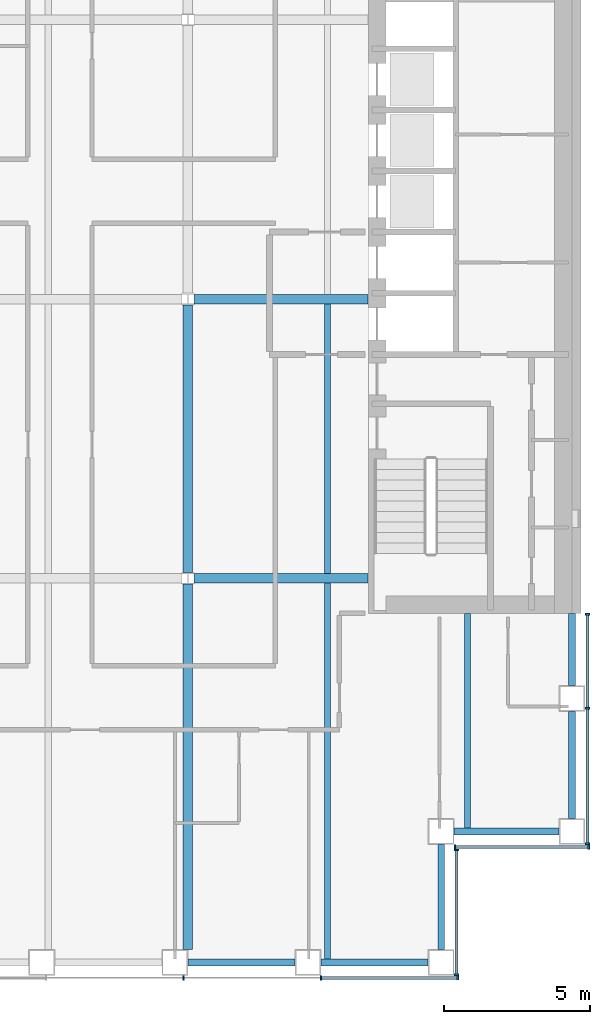
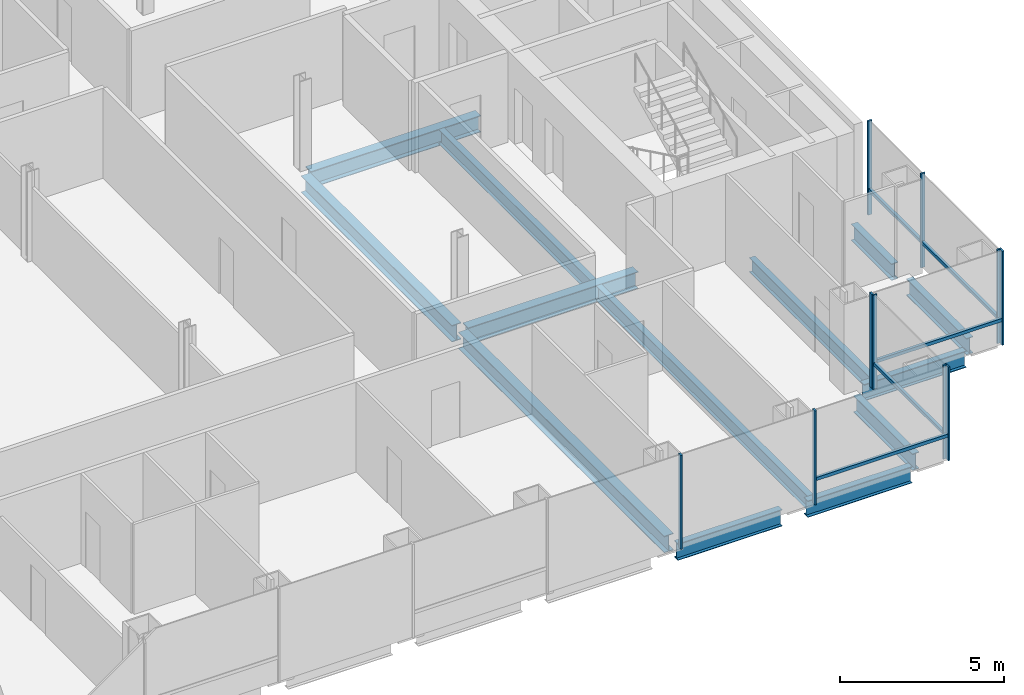
# One storey, part 4 of 16: 15 members, 13 beams, 4 elements without a shape of their own.
"""IFC4 building model written with IfcOpenShell, lengths in metres."""

import ifcopenshell
import ifcopenshell.guid

model = None  # the IFC model being written
_history = None  # IfcOwnerHistory: only IFC2X3 demands one
_inside = {}  # id of a spatial element -> (the spatial element, [elements in it])
_under = {}  # id of a project, library or spatial element -> (it, [spatial elements below it])
_declared = {}  # id of a project -> (the project, [libraries it declares])
_typed = {}  # id of a type object -> (the type object, [elements of that type])
_made_of = {}  # id of a material, layer set ... -> (it, [elements and type objects made of it])


def new_model(schema):
    """Start an empty IFC model of exactly this schema.

    Asked for "IFC4X3", IfcOpenShell would pick the latest addendum, in which some entities
    have other attributes; the version numbers below select the first issue.
    IFC2X3 requires an IfcOwnerHistory on every rooted entity: one is made here for all.
    """
    global model, _history
    if schema == "IFC4X3":
        model = ifcopenshell.file(schema_version=(4, 3, 0, 0))
    else:
        model = ifcopenshell.file(schema=schema)
    _inside.clear()
    _under.clear()
    _declared.clear()
    _typed.clear()
    _made_of.clear()
    _history = None
    if model.schema == "IFC2X3":
        org = make("IfcOrganization", Name="unknown")
        user = make(
            "IfcPersonAndOrganization",
            ThePerson=make("IfcPerson", FamilyName="unknown"),
            TheOrganization=org,
        )
        app = make(
            "IfcApplication",
            ApplicationDeveloper=org,
            Version="unknown",
            ApplicationFullName="unknown",
            ApplicationIdentifier="unknown",
        )
        _history = make(
            "IfcOwnerHistory",
            OwningUser=user,
            OwningApplication=app,
            ChangeAction="ADDED",
            CreationDate=0,
        )
    return model


def make(cls, **values):
    """One entity of the class cls with the attributes given. An attribute that is None is left unset."""
    return model.create_entity(
        cls, **{name: value for name, value in values.items() if value is not None}
    )


def rooted(cls, **values):
    """An entity with a GlobalId (a new one), such as an element, a storey or a relation."""
    return make(cls, GlobalId=ifcopenshell.guid.new(), OwnerHistory=_history, **values)


def si_unit(unit_type, name, prefix=None):
    """IfcSIUnit, for example si_unit("LENGTHUNIT", "METRE", prefix="MILLI")."""
    return make("IfcSIUnit", UnitType=unit_type, Prefix=prefix, Name=name)


def assignment(units):
    """IfcUnitAssignment: the units of a project."""
    return None if units is None else make("IfcUnitAssignment", Units=units)


def point(xyz):
    """IfcCartesianPoint."""
    return None if xyz is None else make("IfcCartesianPoint", Coordinates=xyz)


def direction(xyz):
    """IfcDirection."""
    return None if xyz is None else make("IfcDirection", DirectionRatios=xyz)


def frame(location, z_axis=None, x_axis=None):
    """IfcAxis2Placement3D, a coordinate frame: its origin and axes. An axis left out is left unset."""
    return make(
        "IfcAxis2Placement3D",
        Location=point(location),
        Axis=direction(z_axis),
        RefDirection=direction(x_axis),
    )


def frame_2d(location, x_axis=None):
    """IfcAxis2Placement2D, a coordinate frame in the plane: its origin and x axis."""
    return make(
        "IfcAxis2Placement2D", Location=point(location), RefDirection=direction(x_axis)
    )


def origin():
    """The frame at (0, 0, 0) with its axes left unset."""
    return frame((0.0, 0.0, 0.0))


def origin_2d():
    """The frame at (0, 0) in the plane with its x axis left unset."""
    return frame_2d((0.0, 0.0))


def place(relative_to, where):
    """IfcLocalPlacement: puts the frame where relative to a parent placement (None: the world)."""
    return make(
        "IfcLocalPlacement", PlacementRelTo=relative_to, RelativePlacement=where
    )


def context(
    kind, dimensions, precision=None, world=None, true_north=None, identifier=None
):
    """IfcGeometricRepresentationContext, for example the 3D "Model" context."""
    return make(
        "IfcGeometricRepresentationContext",
        ContextIdentifier=identifier,
        ContextType=kind,
        CoordinateSpaceDimension=dimensions,
        Precision=precision,
        WorldCoordinateSystem=world,
        TrueNorth=true_north,
    )


def subcontext(parent, identifier, kind, view, scale=None):
    """IfcGeometricRepresentationSubContext, for example "Body" below "Model"."""
    return make(
        "IfcGeometricRepresentationSubContext",
        ContextIdentifier=identifier,
        ContextType=kind,
        ParentContext=parent,
        TargetScale=scale,
        TargetView=view,
    )


def project(units=None, contexts=None):
    """IfcProject with its units and contexts."""
    return rooted(
        "IfcProject",
        Name="project",
        RepresentationContexts=contexts,
        UnitsInContext=assignment(units),
    )


def spatial(cls, under=None, at=None, **own):
    """A site, building, storey or space (cls), placed at a placement, below another one or the project."""
    s = rooted(cls, ObjectPlacement=at, **own)
    if under is not None:
        _under.setdefault(under.id(), (under, []))[1].append(s)
    return s


def profile(cls, at=None, kind="AREA", **sizes):
    """A parametric profile (cls). Its sizes go by their IFC names, for example OverallWidth=200.0."""
    return make(cls, ProfileType=kind, Position=at, **sizes)


def rectangle(**sizes):
    """IfcRectangleProfileDef."""
    return profile("IfcRectangleProfileDef", **sizes)


def i_section(**sizes):
    """IfcIShapeProfileDef."""
    return profile("IfcIShapeProfileDef", **sizes)


def extrude(swept, where, along, depth):
    """IfcExtrudedAreaSolid: the profile swept, set in the frame where, extruded along a direction by depth."""
    return make(
        "IfcExtrudedAreaSolid",
        SweptArea=swept,
        Position=where,
        ExtrudedDirection=direction(along),
        Depth=depth,
    )


def shape(context_of_items, identifier, shape_type, items):
    """IfcShapeRepresentation: the items that make up one representation, for example the "Body"."""
    return make(
        "IfcShapeRepresentation",
        ContextOfItems=context_of_items,
        RepresentationIdentifier=identifier,
        RepresentationType=shape_type,
        Items=items,
    )


def material(Name=None, Category=None):
    """IfcMaterial."""
    return make("IfcMaterial", Name=Name, Category=Category)


def material_profile(
    of_material, cross_section, Name=None, Category=None, Priority=None
):
    """IfcMaterialProfile: a cross section and its material."""
    return make(
        "IfcMaterialProfile",
        Name=Name,
        Material=of_material,
        Profile=cross_section,
        Priority=Priority,
        Category=Category,
    )


def profile_set(profiles, Name=None, composite=None):
    """IfcMaterialProfileSet."""
    return make(
        "IfcMaterialProfileSet",
        Name=Name,
        MaterialProfiles=profiles,
        CompositeProfile=composite,
    )


def made_of(thing, what):
    """Note that an element or type object is made of a material, layer set ...; save() writes the relation."""
    if what is not None:
        _made_of.setdefault(what.id(), (what, []))[1].append(thing)
    return thing


def type_object(cls, material=None, **own):
    """A type object (cls), such as IfcWallType, which elements share."""
    return made_of(rooted(cls, **own), material)


def element(
    cls,
    number,
    at=None,
    inside=None,
    cuts=None,
    type_object=None,
    material=None,
    context=None,
    identifier="Body",
    shape_type=None,
    held_by="IfcProductDefinitionShape",
    body=None,
    shapes=None,
    **own,
):
    """One element of the class cls, such as IfcWall. Its Tag is "e" and its number.

    at: its placement. inside: the storey or other place that contains it. cuts: it is an
    opening in that element (IfcRelVoidsElement). A single representation is given by context,
    identifier, shape_type and body (its items); several are given by shapes. held_by: the class
    of the entity that holds the representations. save() writes the other relations.
    """
    e = rooted(cls, Tag="e%d" % number, ObjectPlacement=at, **own)
    if body is not None:
        shapes = [shape(context, identifier, shape_type, body)]
    if shapes is not None:
        e.Representation = make(held_by, Representations=shapes)
    if inside is not None:
        _inside.setdefault(inside.id(), (inside, []))[1].append(e)
    if cuts is not None:
        rooted(
            "IfcRelVoidsElement", RelatingBuildingElement=cuts, RelatedOpeningElement=e
        )
    if type_object is not None:
        _typed.setdefault(type_object.id(), (type_object, []))[1].append(e)
    return made_of(e, material)


def aggregate(whole, parts):
    """IfcRelAggregates: a whole, such as a stair, and the parts it consists of."""
    return rooted("IfcRelAggregates", RelatingObject=whole, RelatedObjects=parts)


def save(model, path):
    """Write the relations noted so far, then the file.

    IfcRelAggregates (storeys below a building ...), IfcRelContainedInSpatialStructure (elements
    in a storey), IfcRelDefinesByType, IfcRelAssociatesMaterial and IfcRelDeclares: one each for
    every whole, place, type object, material and project.
    """
    for whole, parts in _under.values():
        aggregate(whole, parts)
    for where, things in _inside.values():
        rooted(
            "IfcRelContainedInSpatialStructure",
            RelatedElements=things,
            RelatingStructure=where,
        )
    for kind, things in _typed.values():
        rooted("IfcRelDefinesByType", RelatedObjects=things, RelatingType=kind)
    for what, things in _made_of.values():
        rooted("IfcRelAssociatesMaterial", RelatedObjects=things, RelatingMaterial=what)
    for by, libraries in _declared.values():
        rooted("IfcRelDeclares", RelatingContext=by, RelatedDefinitions=libraries)
    model.write(path)


model = new_model("IFC4")

# Units and contexts
model_context = context("Model", 3, precision=1e-05, world=origin(), true_north=direction((0.0, 1.0)))
body_context = subcontext(model_context, "Body", "Model", "MODEL_VIEW")
ifc_project = project(units=[si_unit("LENGTHUNIT", "METRE"), si_unit("AREAUNIT", "SQUARE_METRE"), si_unit("VOLUMEUNIT", "CUBIC_METRE"), si_unit("PLANEANGLEUNIT", "RADIAN"), si_unit("MASSUNIT", "GRAM", prefix="KILO")], contexts=[model_context])

# Site, building, storey
site_placement = place(None, origin())
site = spatial("IfcSite", under=ifc_project, at=site_placement, CompositionType="ELEMENT")
building_placement = place(site_placement, origin())
building = spatial("IfcBuilding", under=site, at=building_placement, Name="Cobrizo Arcos Hotel Tower", CompositionType="ELEMENT")
storey_placement = place(building_placement, frame((0.0, 0.0, 113.5)))
storey = spatial("IfcBuildingStorey", under=building, at=storey_placement, Name="L28", CompositionType="ELEMENT", Elevation=113.5)

# Curtain wall, members
ifc_material_1 = material(Name="Aluminium 6063-T6 anodised bronze", Category="aluminium")
curtain_wall_type = type_object("IfcCurtainWallType", Name="CW-A guest facade", PredefinedType="NOTDEFINED", material=ifc_material_1)
curtain_wall_1_placement = place(storey_placement, origin())
curtain_wall_1 = element("IfcCurtainWall", 1, at=curtain_wall_1_placement, inside=storey, type_object=curtain_wall_type, Name="CW-A L28 S face", PredefinedType="NOTDEFINED")
ifc_material_profile_1 = material_profile(ifc_material_1, rectangle(XDim=0.14990234375, YDim=0.06005859375, at=origin_2d()), Name="CW-A mullion 150x60")
ifc_profile_set_1 = profile_set([ifc_material_profile_1], Name="Aluminium 6063-T6 anodised bronze")
member_type_1 = type_object("IfcMemberType", Name="CW-A mullion 150x60", PredefinedType="MULLION", material=ifc_profile_set_1)
member_1_placement = place(storey_placement, frame((9.449951171875, -23.324951171875, 0.0), z_axis=(0.0, 0.0, 1.0), x_axis=(0.0, -1.0, 0.0)))
member_1 = element("IfcMember", 2, at=member_1_placement, type_object=member_type_1, Name="CW-A mullion 7", PredefinedType="MULLION", context=body_context, shape_type="SweptSolid", body=[
    extrude(rectangle(XDim=0.14990234375, YDim=0.06005859375, at=origin_2d()), origin(), (0.0, 0.0, 1.0), 3.5),
])
member_2_placement = place(storey_placement, frame((14.175048828125, -23.324951171875, 0.0), z_axis=(0.0, 0.0, 1.0), x_axis=(0.0, -1.0, 0.0)))
member_2 = element("IfcMember", 3, at=member_2_placement, type_object=member_type_1, Name="CW-A mullion 8", PredefinedType="MULLION", context=body_context, shape_type="SweptSolid", body=[
    extrude(rectangle(XDim=0.14990234375, YDim=0.06005859375, at=origin_2d()), origin(), (0.0, 0.0, 1.0), 3.5),
])
member_3_placement = place(storey_placement, frame((18.8701171875, -23.324951171875, 0.0), z_axis=(0.0, 0.0, 1.0), x_axis=(0.0, -1.0, 0.0)))
member_3 = element("IfcMember", 4, at=member_3_placement, type_object=member_type_1, Name="CW-A mullion 9", PredefinedType="MULLION", context=body_context, shape_type="SweptSolid", body=[
    extrude(rectangle(XDim=0.14990234375, YDim=0.06005859375, at=origin_2d()), origin(), (0.0, 0.0, 1.0), 3.5),
])

curtain_wall_2_placement = place(storey_placement, origin())
curtain_wall_2 = element("IfcCurtainWall", 5, at=curtain_wall_2_placement, inside=storey, type_object=curtain_wall_type, Name="CW-A L28 E face", PredefinedType="NOTDEFINED")
member_4_placement = place(storey_placement, frame((18.824951171875, -23.219970703125, 0.0), z_axis=(0.0, 0.0, 1.0), x_axis=(1.0, 0.0, 0.0)))
member_4 = element("IfcMember", 6, at=member_4_placement, type_object=member_type_1, Name="CW-A mullion 1", PredefinedType="MULLION", context=body_context, shape_type="SweptSolid", body=[
    extrude(rectangle(XDim=0.14990234375, YDim=0.06005859375, at=origin_2d()), origin(), (0.0, 0.0, 1.0), 3.5),
])
member_5_placement = place(storey_placement, frame((18.824951171875, -18.929931640625, 0.0), z_axis=(0.0, 0.0, 1.0), x_axis=(1.0, 0.0, 0.0)))
member_5 = element("IfcMember", 7, at=member_5_placement, type_object=member_type_1, Name="CW-A mullion 2", PredefinedType="MULLION", context=body_context, shape_type="SweptSolid", body=[
    extrude(rectangle(XDim=0.14990234375, YDim=0.06005859375, at=origin_2d()), origin(), (0.0, 0.0, 1.0), 3.5),
])

curtain_wall_3_placement = place(storey_placement, origin())
curtain_wall_3 = element("IfcCurtainWall", 8, at=curtain_wall_3_placement, inside=storey, type_object=curtain_wall_type, Name="CW-A L28 S face", PredefinedType="NOTDEFINED")
member_6_placement = place(storey_placement, frame((18.780029296875, -18.824951171875, 0.0), z_axis=(0.0, 0.0, 1.0), x_axis=(0.0, -1.0, 0.0)))
member_6 = element("IfcMember", 9, at=member_6_placement, type_object=member_type_1, Name="CW-A mullion 1", PredefinedType="MULLION", context=body_context, shape_type="SweptSolid", body=[
    extrude(rectangle(XDim=0.14990234375, YDim=0.06005859375, at=origin_2d()), origin(), (0.0, 0.0, 1.0), 3.5),
])
member_7_placement = place(storey_placement, frame((23.3701171875, -18.824951171875, 0.0), z_axis=(0.0, 0.0, 1.0), x_axis=(0.0, -1.0, 0.0)))
member_7 = element("IfcMember", 10, at=member_7_placement, type_object=member_type_1, Name="CW-A mullion 2", PredefinedType="MULLION", context=body_context, shape_type="SweptSolid", body=[
    extrude(rectangle(XDim=0.14990234375, YDim=0.06005859375, at=origin_2d()), origin(), (0.0, 0.0, 1.0), 3.5),
])

curtain_wall_4_placement = place(storey_placement, origin())
curtain_wall_4 = element("IfcCurtainWall", 11, at=curtain_wall_4_placement, inside=storey, type_object=curtain_wall_type, Name="CW-A L28 E face", PredefinedType="NOTDEFINED")
member_8_placement = place(storey_placement, frame((23.324951171875, -18.719970703125, 0.0), z_axis=(0.0, 0.0, 1.0), x_axis=(1.0, 0.0, 0.0)))
member_8 = element("IfcMember", 12, at=member_8_placement, type_object=member_type_1, Name="CW-A mullion 1", PredefinedType="MULLION", context=body_context, shape_type="SweptSolid", body=[
    extrude(rectangle(XDim=0.14990234375, YDim=0.06005859375, at=origin_2d()), origin(), (0.0, 0.0, 1.0), 3.5),
])
member_9_placement = place(storey_placement, frame((23.324951171875, -14.0625, 0.0), z_axis=(0.0, 0.0, 1.0), x_axis=(1.0, 0.0, 0.0)))
member_9 = element("IfcMember", 13, at=member_9_placement, type_object=member_type_1, Name="CW-A mullion 2", PredefinedType="MULLION", context=body_context, shape_type="SweptSolid", body=[
    extrude(rectangle(XDim=0.14990234375, YDim=0.06005859375, at=origin_2d()), origin(), (0.0, 0.0, 1.0), 3.5),
])
member_10_placement = place(storey_placement, frame((23.324951171875, -10.830078125, 0.0), z_axis=(0.0, 0.0, 1.0), x_axis=(1.0, 0.0, 0.0)))
member_10 = element("IfcMember", 14, at=member_10_placement, type_object=member_type_1, Name="CW-A mullion 3", PredefinedType="MULLION", context=body_context, shape_type="SweptSolid", body=[
    extrude(rectangle(XDim=0.14990234375, YDim=0.06005859375, at=origin_2d()), origin(), (0.0, 0.0, 1.0), 3.5),
])

# Member
ifc_material_profile_2 = material_profile(ifc_material_1, rectangle(XDim=0.10009765625, YDim=0.1201171875, at=origin_2d()), Name="CW-A transom 120x100")
ifc_profile_set_2 = profile_set([ifc_material_profile_2], Name="Aluminium 6063-T6 anodised bronze")
member_type_2 = type_object("IfcMemberType", Name="CW-A transom 120x100", PredefinedType="USERDEFINED", material=ifc_profile_set_2)
member_11_placement = place(storey_placement, frame((14.205078125, -23.324951171875, 0.929931640625), z_axis=(1.0, 0.0, 0.0), x_axis=(0.0, 1.0, 0.0)))
member_11 = element("IfcMember", 15, at=member_11_placement, type_object=member_type_2, Name="CW-A transom 1082", ObjectType="TRANSOM", PredefinedType="USERDEFINED", context=body_context, shape_type="SweptSolid", body=[
    extrude(rectangle(XDim=0.10009765625, YDim=0.1201171875, at=origin_2d()), origin(), (0.0, 0.0, 1.0), 4.635009765625),
])

aggregate(curtain_wall_1, [member_1, member_2, member_3, member_11])

member_12_placement = place(storey_placement, frame((18.824951171875, -23.18994140625, 0.929931640625), z_axis=(0.0, 1.0, 0.0), x_axis=(-1.0, 0.0, 0.0)))
member_12 = element("IfcMember", 16, at=member_12_placement, type_object=member_type_2, Name="CW-A transom 1083", ObjectType="TRANSOM", PredefinedType="USERDEFINED", context=body_context, shape_type="SweptSolid", body=[
    extrude(rectangle(XDim=0.10009765625, YDim=0.1201171875, at=origin_2d()), origin(), (0.0, 0.0, 1.0), 4.22998046875),
])

aggregate(curtain_wall_2, [member_4, member_5, member_12])

member_13_placement = place(storey_placement, frame((18.81005859375, -18.824951171875, 0.929931640625), z_axis=(1.0, 0.0, 0.0), x_axis=(0.0, 1.0, 0.0)))
member_13 = element("IfcMember", 17, at=member_13_placement, type_object=member_type_2, Name="CW-A transom 1084", ObjectType="TRANSOM", PredefinedType="USERDEFINED", context=body_context, shape_type="SweptSolid", body=[
    extrude(rectangle(XDim=0.10009765625, YDim=0.1201171875, at=origin_2d()), origin(), (0.0, 0.0, 1.0), 4.530029296875),
])

aggregate(curtain_wall_3, [member_6, member_7, member_13])

member_14_placement = place(storey_placement, frame((23.324951171875, -18.68994140625, 0.929931640625), z_axis=(0.0, 1.0, 0.0), x_axis=(-1.0, 0.0, 0.0)))
member_14 = element("IfcMember", 18, at=member_14_placement, type_object=member_type_2, Name="CW-A transom 1085", ObjectType="TRANSOM", PredefinedType="USERDEFINED", context=body_context, shape_type="SweptSolid", body=[
    extrude(rectangle(XDim=0.10009765625, YDim=0.1201171875, at=origin_2d()), origin(), (0.0, 0.0, 1.0), 4.597412109375),
])

member_15_placement = place(storey_placement, frame((23.324951171875, -14.032470703125, 0.929931640625), z_axis=(0.0, 1.0, 0.0), x_axis=(-1.0, 0.0, 0.0)))
member_15 = element("IfcMember", 19, at=member_15_placement, type_object=member_type_2, Name="CW-A transom 1086", ObjectType="TRANSOM", PredefinedType="USERDEFINED", context=body_context, shape_type="SweptSolid", body=[
    extrude(rectangle(XDim=0.10009765625, YDim=0.1201171875, at=origin_2d()), origin(), (0.0, 0.0, 1.0), 3.17236328125),
])

aggregate(curtain_wall_4, [member_8, member_9, member_10, member_14, member_15])

# Beams
ifc_material_2 = material(Name="Steel ASTM A992 Grade 50", Category="steel")
ifc_material_profile_3 = material_profile(ifc_material_2, i_section(OverallWidth=0.209228515625, OverallDepth=0.533447265625, WebThickness=0.01025390625, FlangeThickness=0.015625, at=origin_2d()), Name="W21X62")
ifc_profile_set_3 = profile_set([ifc_material_profile_3], Name="Steel ASTM A992 Grade 50")
beam_type_1 = type_object("IfcBeamType", Name="W21X62 joist", PredefinedType="JOIST", material=ifc_profile_set_3)
beam_1_placement = place(storey_placement, frame((14.39990234375, -22.7099609375, -0.416748046875), z_axis=(0.0, 1.0, 0.0), x_axis=(-1.0, 0.0, 0.0)))
element("IfcBeam", 20, at=beam_1_placement, inside=storey, type_object=beam_type_1, Name="Floor joist J1, L28, no. 015", PredefinedType="JOIST", context=body_context, shape_type="SweptSolid", body=[
    extrude(i_section(OverallWidth=0.209228515625, OverallDepth=0.533447265625, WebThickness=0.01025390625, FlangeThickness=0.015625, at=origin_2d()), origin(), (0.0, 0.0, 1.0), 12.946044921875),
])
beam_2_placement = place(storey_placement, frame((14.39990234375, -9.43603515625, -0.416748046875), z_axis=(0.0, 1.0, 0.0), x_axis=(-1.0, 0.0, 0.0)))
element("IfcBeam", 21, at=beam_2_placement, inside=storey, type_object=beam_type_1, Name="Floor joist J1, L28, no. 016", PredefinedType="JOIST", context=body_context, shape_type="SweptSolid", body=[
    extrude(i_section(OverallWidth=0.209228515625, OverallDepth=0.533447265625, WebThickness=0.01025390625, FlangeThickness=0.015625, at=origin_2d()), origin(), (0.0, 0.0, 1.0), 9.272216796875),
])
beam_3_placement = place(storey_placement, frame((19.199951171875, -18.2099609375, -0.416748046875), z_axis=(0.0, 1.0, 0.0), x_axis=(-1.0, 0.0, 0.0)))
element("IfcBeam", 22, at=beam_3_placement, inside=storey, type_object=beam_type_1, Name="Floor joist J1, L28, no. 019", PredefinedType="JOIST", context=body_context, shape_type="SweptSolid", body=[
    extrude(i_section(OverallWidth=0.209228515625, OverallDepth=0.533447265625, WebThickness=0.01025390625, FlangeThickness=0.015625, at=origin_2d()), origin(), (0.0, 0.0, 1.0), 7.39990234375),
])
ifc_material_profile_4 = material_profile(ifc_material_2, i_section(OverallWidth=0.32763671875, OverallDepth=0.622314453125, WebThickness=0.015380859375, FlangeThickness=0.0244140625, at=origin_2d()), Name="W24X131")
ifc_profile_set_4 = profile_set([ifc_material_profile_4], Name="Steel ASTM A992 Grade 50")
beam_type_2 = type_object("IfcBeamType", Name="W24X131 girder", PredefinedType="BEAM", material=ifc_profile_set_4)
for number, where, z_axis, x_axis, name in (
    (23, (9.79931640625, -9.60009765625, -0.461181640625), (1.0, 0.0, 0.0), (0.0, 1.0, 0.0), "Floor girder G1, L28, no. 004"),
    (24, (9.79931640625, 0.0, -0.461181640625), (1.0, 0.0, 0.0), (0.0, 1.0, 0.0), "Floor girder G1, L28, no. 008"),
):
    element("IfcBeam", number, at=place(storey_placement, frame(where, z_axis=z_axis, x_axis=x_axis)), inside=storey, type_object=beam_type_2, Name=name, PredefinedType="BEAM", context=body_context, shape_type="SweptSolid", body=[
        extrude(i_section(OverallWidth=0.32763671875, OverallDepth=0.622314453125, WebThickness=0.015380859375, FlangeThickness=0.0244140625, at=origin_2d()), origin(), (0.0, 0.0, 1.0), 5.99072265625),
    ])
beam_4_placement = place(storey_placement, frame((9.60009765625, -22.35009765625, -0.461181640625), z_axis=(0.0, 1.0, 0.0), x_axis=(-1.0, 0.0, 0.0)))
element("IfcBeam", 25, at=beam_4_placement, inside=storey, type_object=beam_type_2, Name="Floor girder G1, L28, no. 021", PredefinedType="BEAM", context=body_context, shape_type="SweptSolid", body=[
    extrude(i_section(OverallWidth=0.32763671875, OverallDepth=0.622314453125, WebThickness=0.015380859375, FlangeThickness=0.0244140625, at=origin_2d()), origin(), (0.0, 0.0, 1.0), 12.55078125),
])
beam_5_placement = place(storey_placement, frame((9.60009765625, -9.400634765625, -0.461181640625), z_axis=(0.0, 1.0, 0.0), x_axis=(-1.0, 0.0, 0.0)))
element("IfcBeam", 26, at=beam_5_placement, inside=storey, type_object=beam_type_2, Name="Floor girder G1, L28, no. 022", PredefinedType="BEAM", context=body_context, shape_type="SweptSolid", body=[
    extrude(i_section(OverallWidth=0.32763671875, OverallDepth=0.622314453125, WebThickness=0.015380859375, FlangeThickness=0.0244140625, at=origin_2d()), origin(), (0.0, 0.0, 1.0), 9.201171875),
])
ifc_material_profile_5 = material_profile(ifc_material_2, i_section(OverallWidth=0.23046875, OverallDepth=0.6171875, WebThickness=0.01318359375, FlangeThickness=0.022216796875, at=origin_2d()), Name="W24X94")
ifc_profile_set_5 = profile_set([ifc_material_profile_5], Name="Steel ASTM A992 Grade 50")
beam_type_3 = type_object("IfcBeamType", Name="W24X94 spandrel", PredefinedType="SPANDREL", material=ifc_profile_set_5)
beam_6_placement = place(storey_placement, frame((9.60009765625, -22.800048828125, -0.45849609375), z_axis=(1.0, 0.0, 0.0), x_axis=(0.0, 1.0, 0.0)))
element("IfcBeam", 27, at=beam_6_placement, inside=storey, type_object=beam_type_3, Name="Spandrel beam W24X94, L28, no. 007", PredefinedType="SPANDREL", context=body_context, shape_type="SweptSolid", body=[
    extrude(i_section(OverallWidth=0.23046875, OverallDepth=0.6171875, WebThickness=0.01318359375, FlangeThickness=0.022216796875, at=origin_2d()), origin(), (0.0, 0.0, 1.0), 3.6748046875),
])
beam_7_placement = place(storey_placement, frame((14.175048828125, -22.800048828125, -0.45849609375), z_axis=(1.0, 0.0, 0.0), x_axis=(0.0, 1.0, 0.0)))
element("IfcBeam", 28, at=beam_7_placement, inside=storey, type_object=beam_type_3, Name="Spandrel beam W24X94, L28, no. 008", PredefinedType="SPANDREL", context=body_context, shape_type="SweptSolid", body=[
    extrude(i_section(OverallWidth=0.23046875, OverallDepth=0.6171875, WebThickness=0.01318359375, FlangeThickness=0.022216796875, at=origin_2d()), origin(), (0.0, 0.0, 1.0), 3.675048828125),
])
for number, where, z_axis, x_axis, name in (
    (29, (18.300048828125, -22.35009765625, -0.45849609375), (0.0, 1.0, 0.0), (-1.0, 0.0, 0.0), "Spandrel beam W24X94, L28, no. 009"),
    (30, (18.75, -18.300048828125, -0.45849609375), (1.0, 0.0, 0.0), (0.0, 1.0, 0.0), "Spandrel beam W24X94, L28, no. 010"),
):
    element("IfcBeam", number, at=place(storey_placement, frame(where, z_axis=z_axis, x_axis=x_axis)), inside=storey, type_object=beam_type_3, Name=name, PredefinedType="SPANDREL", context=body_context, shape_type="SweptSolid", body=[
        extrude(i_section(OverallWidth=0.23046875, OverallDepth=0.6171875, WebThickness=0.01318359375, FlangeThickness=0.022216796875, at=origin_2d()), origin(), (0.0, 0.0, 1.0), 3.60009765625),
    ])
beam_8_placement = place(storey_placement, frame((22.800048828125, -17.85009765625, -0.45849609375), z_axis=(0.0, 1.0, 0.0), x_axis=(-1.0, 0.0, 0.0)))
element("IfcBeam", 31, at=beam_8_placement, inside=storey, type_object=beam_type_3, Name="Spandrel beam W24X94, L28, no. 011", PredefinedType="SPANDREL", context=body_context, shape_type="SweptSolid", body=[
    extrude(i_section(OverallWidth=0.23046875, OverallDepth=0.6171875, WebThickness=0.01318359375, FlangeThickness=0.022216796875, at=origin_2d()), origin(), (0.0, 0.0, 1.0), 3.675048828125),
])
beam_9_placement = place(storey_placement, frame((22.800048828125, -13.27490234375, -0.45849609375), z_axis=(0.0, 1.0, 0.0), x_axis=(-1.0, 0.0, 0.0)))
element("IfcBeam", 32, at=beam_9_placement, inside=storey, type_object=beam_type_3, Name="Spandrel beam W24X94, L28, no. 012", PredefinedType="SPANDREL", context=body_context, shape_type="SweptSolid", body=[
    extrude(i_section(OverallWidth=0.23046875, OverallDepth=0.6171875, WebThickness=0.01318359375, FlangeThickness=0.022216796875, at=origin_2d()), origin(), (0.0, 0.0, 1.0), 2.46484375),
])

save(model, "model.ifc")
